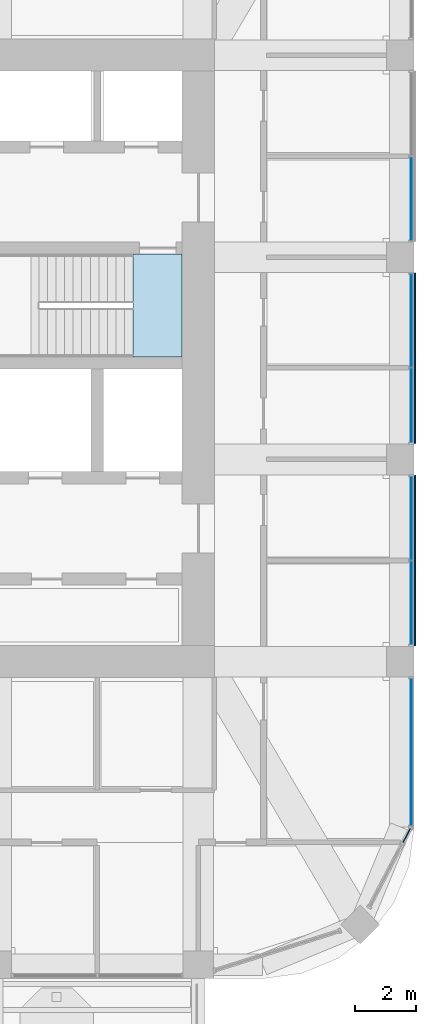
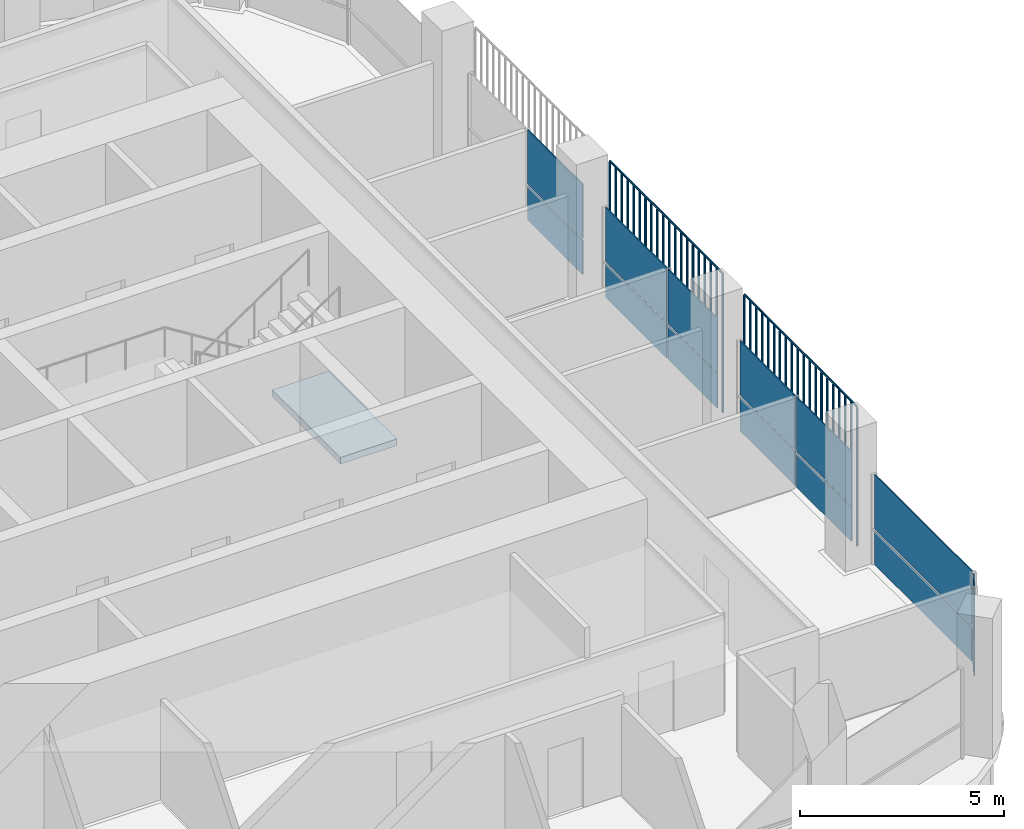
# One storey, part 11 of 21: 16 plates, 1 slab, 6 elements without a shape of their own.
"""IFC4 building model written with IfcOpenShell, lengths in metres."""

from ifc_helpers import new_model, si_unit, direction, frame, origin, origin_2d, place, context, subcontext, project, spatial, polyline, rectangle, outline, extrude, material, layer, layer_set, type_object, element, aggregate, save


model = new_model("IFC4")

# Units and contexts
model_context = context("Model", 3, precision=1e-05, world=origin(), true_north=direction((0.0, 1.0)))
body_context = subcontext(model_context, "Body", "Model", "MODEL_VIEW")
ifc_project = project(units=[si_unit("LENGTHUNIT", "METRE"), si_unit("AREAUNIT", "SQUARE_METRE"), si_unit("VOLUMEUNIT", "CUBIC_METRE"), si_unit("PLANEANGLEUNIT", "RADIAN"), si_unit("MASSUNIT", "GRAM", prefix="KILO")], contexts=[model_context])

# Site, building, storey
site_placement = place(None, origin())
site = spatial("IfcSite", under=ifc_project, at=site_placement, CompositionType="ELEMENT")
building_placement = place(site_placement, origin())
building = spatial("IfcBuilding", under=site, at=building_placement, Name="Cobogo Forest Laboratory Tower", CompositionType="ELEMENT")
storey_placement = place(building_placement, frame((0.0, 0.0, 275.39990234375)))
storey = spatial("IfcBuildingStorey", under=building, at=storey_placement, Name="L63", CompositionType="ELEMENT", Elevation=275.39990234375)

# Curtain wall, plates
ifc_material_1 = material(Name="Aluminium curtain wall", Category="aluminium")
curtain_wall_type = type_object("IfcCurtainWallType", Name="CW-2 unitised curtain wall, solar control glazing, laboratory floors zones C and D", PredefinedType="USERDEFINED", material=ifc_material_1)
curtain_wall_1_placement = place(storey_placement, origin())
curtain_wall_1 = element("IfcCurtainWall", 1, at=curtain_wall_1_placement, inside=storey, type_object=curtain_wall_type, Name="Curtain wall 06 L63", ObjectType="UNITISED CURTAIN WALL", PredefinedType="USERDEFINED")
ifc_material_2 = material(Name="Solar control insulated glass", Category="glass")
ifc_layer_1 = layer(ifc_material_2, 0.031982421875)
ifc_layer_set_1 = layer_set([ifc_layer_1], Name="GP-2 solar control glass unit 32")
plate_type_1 = type_object("IfcPlateType", Name="GP-2 solar control glass unit 32", PredefinedType="CURTAIN_PANEL", material=ifc_layer_set_1)
plate_1_placement = place(storey_placement, frame((46.40234375, 7.51806640625, 0.0), z_axis=(0.0, 0.0, 1.0), x_axis=(0.464283778337, 0.885686498245, 0.0)))
plate_1 = element("IfcPlate", 2, at=plate_1_placement, type_object=plate_type_1, Name="CW-2 panel 2.1", PredefinedType="CURTAIN_PANEL", context=body_context, shape_type="SweptSolid", body=[
    extrude(rectangle(XDim=0.516357421875, YDim=0.031982421875, at=origin_2d()), origin(), (0.0, 0.0, 1.0), 1.02001953125),
])
plate_2_placement = place(storey_placement, frame((46.40234375, 7.51806640625, 1.080078125), z_axis=(0.0, 0.0, 1.0), x_axis=(0.464283778337, 0.885686498245, 0.0)))
plate_2 = element("IfcPlate", 3, at=plate_2_placement, type_object=plate_type_1, Name="CW-2 panel 2.2", PredefinedType="CURTAIN_PANEL", context=body_context, shape_type="SweptSolid", body=[
    extrude(rectangle(XDim=0.516357421875, YDim=0.031982421875, at=origin_2d()), origin(), (0.0, 0.0, 1.0), 1.6201171875),
])
aggregate(curtain_wall_1, [plate_1, plate_2])

curtain_wall_2_placement = place(storey_placement, origin())
curtain_wall_2 = element("IfcCurtainWall", 4, at=curtain_wall_2_placement, inside=storey, type_object=curtain_wall_type, Name="Curtain wall 07 L63", ObjectType="UNITISED CURTAIN WALL", PredefinedType="USERDEFINED")
plate_3_placement = place(storey_placement, frame((46.550048828125, 10.25, 0.0), z_axis=(0.0, 0.0, 1.0), x_axis=(0.0, 1.0, 0.0)))
plate_3 = element("IfcPlate", 5, at=plate_3_placement, type_object=plate_type_1, Name="CW-2 panel 1.1", PredefinedType="CURTAIN_PANEL", context=body_context, shape_type="SweptSolid", body=[
    extrude(rectangle(XDim=4.780029296875, YDim=0.031982421875, at=origin_2d()), origin(), (0.0, 0.0, 1.0), 1.02001953125),
])
plate_4_placement = place(storey_placement, frame((46.550048828125, 10.25, 1.080078125), z_axis=(0.0, 0.0, 1.0), x_axis=(0.0, 1.0, 0.0)))
plate_4 = element("IfcPlate", 6, at=plate_4_placement, type_object=plate_type_1, Name="CW-2 panel 1.2", PredefinedType="CURTAIN_PANEL", context=body_context, shape_type="SweptSolid", body=[
    extrude(rectangle(XDim=4.780029296875, YDim=0.031982421875, at=origin_2d()), origin(), (0.0, 0.0, 1.0), 1.6201171875),
])
aggregate(curtain_wall_2, [plate_3, plate_4])

curtain_wall_3_placement = place(storey_placement, origin())
curtain_wall_3 = element("IfcCurtainWall", 7, at=curtain_wall_3_placement, inside=storey, type_object=curtain_wall_type, Name="Curtain wall 08 L63", ObjectType="UNITISED CURTAIN WALL", PredefinedType="USERDEFINED")
plate_5_placement = place(storey_placement, frame((46.550048828125, 15.114990234375, 0.0), z_axis=(0.0, 0.0, 1.0), x_axis=(0.0, 1.0, 0.0)))
plate_5 = element("IfcPlate", 8, at=plate_5_placement, type_object=plate_type_1, Name="CW-2 panel 1.1", PredefinedType="CURTAIN_PANEL", context=body_context, shape_type="SweptSolid", body=[
    extrude(rectangle(XDim=2.7099609375, YDim=0.031982421875, at=origin_2d()), origin(), (0.0, 0.0, 1.0), 1.02001953125),
])
plate_6_placement = place(storey_placement, frame((46.550048828125, 15.114990234375, 1.080078125), z_axis=(0.0, 0.0, 1.0), x_axis=(0.0, 1.0, 0.0)))
plate_6 = element("IfcPlate", 9, at=plate_6_placement, type_object=plate_type_1, Name="CW-2 panel 1.2", PredefinedType="CURTAIN_PANEL", context=body_context, shape_type="SweptSolid", body=[
    extrude(rectangle(XDim=2.7099609375, YDim=0.031982421875, at=origin_2d()), origin(), (0.0, 0.0, 1.0), 1.6201171875),
])
plate_7_placement = place(storey_placement, frame((46.550048828125, 17.885009765625, 0.0), z_axis=(0.0, 0.0, 1.0), x_axis=(0.0, 1.0, 0.0)))
plate_7 = element("IfcPlate", 10, at=plate_7_placement, type_object=plate_type_1, Name="CW-2 panel 2.1", PredefinedType="CURTAIN_PANEL", context=body_context, shape_type="SweptSolid", body=[
    extrude(rectangle(XDim=2.7099609375, YDim=0.031982421875, at=origin_2d()), origin(), (0.0, 0.0, 1.0), 1.02001953125),
])
plate_8_placement = place(storey_placement, frame((46.550048828125, 17.885009765625, 1.080078125), z_axis=(0.0, 0.0, 1.0), x_axis=(0.0, 1.0, 0.0)))
plate_8 = element("IfcPlate", 11, at=plate_8_placement, type_object=plate_type_1, Name="CW-2 panel 2.2", PredefinedType="CURTAIN_PANEL", context=body_context, shape_type="SweptSolid", body=[
    extrude(rectangle(XDim=2.7099609375, YDim=0.031982421875, at=origin_2d()), origin(), (0.0, 0.0, 1.0), 1.6201171875),
])
aggregate(curtain_wall_3, [plate_5, plate_6, plate_7, plate_8])

curtain_wall_4_placement = place(storey_placement, origin())
curtain_wall_4 = element("IfcCurtainWall", 12, at=curtain_wall_4_placement, inside=storey, type_object=curtain_wall_type, Name="Curtain wall 09 L63", ObjectType="UNITISED CURTAIN WALL", PredefinedType="USERDEFINED")
plate_9_placement = place(storey_placement, frame((46.550048828125, 21.56494140625, 0.0), z_axis=(0.0, 0.0, 1.0), x_axis=(0.0, 1.0, 0.0)))
plate_9 = element("IfcPlate", 13, at=plate_9_placement, type_object=plate_type_1, Name="CW-2 panel 1.1", PredefinedType="CURTAIN_PANEL", context=body_context, shape_type="SweptSolid", body=[
    extrude(rectangle(XDim=2.409912109375, YDim=0.031982421875, at=origin_2d()), origin(), (0.0, 0.0, 1.0), 1.02001953125),
])
plate_10_placement = place(storey_placement, frame((46.550048828125, 21.56494140625, 1.080078125), z_axis=(0.0, 0.0, 1.0), x_axis=(0.0, 1.0, 0.0)))
plate_10 = element("IfcPlate", 14, at=plate_10_placement, type_object=plate_type_1, Name="CW-2 panel 1.2", PredefinedType="CURTAIN_PANEL", context=body_context, shape_type="SweptSolid", body=[
    extrude(rectangle(XDim=2.409912109375, YDim=0.031982421875, at=origin_2d()), origin(), (0.0, 0.0, 1.0), 1.6201171875),
])
plate_11_placement = place(storey_placement, frame((46.550048828125, 24.3349609375, 0.0), z_axis=(0.0, 0.0, 1.0), x_axis=(0.0, 1.0, 0.0)))
plate_11 = element("IfcPlate", 15, at=plate_11_placement, type_object=plate_type_1, Name="CW-2 panel 2.1", PredefinedType="CURTAIN_PANEL", context=body_context, shape_type="SweptSolid", body=[
    extrude(rectangle(XDim=3.010009765625, YDim=0.031982421875, at=origin_2d()), origin(), (0.0, 0.0, 1.0), 1.02001953125),
])
plate_12_placement = place(storey_placement, frame((46.550048828125, 24.3349609375, 1.080078125), z_axis=(0.0, 0.0, 1.0), x_axis=(0.0, 1.0, 0.0)))
plate_12 = element("IfcPlate", 16, at=plate_12_placement, type_object=plate_type_1, Name="CW-2 panel 2.2", PredefinedType="CURTAIN_PANEL", context=body_context, shape_type="SweptSolid", body=[
    extrude(rectangle(XDim=3.010009765625, YDim=0.031982421875, at=origin_2d()), origin(), (0.0, 0.0, 1.0), 1.6201171875),
])
aggregate(curtain_wall_4, [plate_9, plate_10, plate_11, plate_12])

curtain_wall_5_placement = place(storey_placement, origin())
curtain_wall_5 = element("IfcCurtainWall", 17, at=curtain_wall_5_placement, inside=storey, type_object=curtain_wall_type, Name="Curtain wall 10 L63", ObjectType="UNITISED CURTAIN WALL", PredefinedType="USERDEFINED")
plate_13_placement = place(storey_placement, frame((46.550048828125, 28.31494140625, 0.0), z_axis=(0.0, 0.0, 1.0), x_axis=(0.0, 1.0, 0.0)))
plate_13 = element("IfcPlate", 18, at=plate_13_placement, type_object=plate_type_1, Name="CW-2 panel 1.1", PredefinedType="CURTAIN_PANEL", context=body_context, shape_type="SweptSolid", body=[
    extrude(rectangle(XDim=2.7099609375, YDim=0.031982421875, at=origin_2d()), origin(), (0.0, 0.0, 1.0), 1.02001953125),
])
plate_14_placement = place(storey_placement, frame((46.550048828125, 28.31494140625, 1.080078125), z_axis=(0.0, 0.0, 1.0), x_axis=(0.0, 1.0, 0.0)))
plate_14 = element("IfcPlate", 19, at=plate_14_placement, type_object=plate_type_1, Name="CW-2 panel 1.2", PredefinedType="CURTAIN_PANEL", context=body_context, shape_type="SweptSolid", body=[
    extrude(rectangle(XDim=2.7099609375, YDim=0.031982421875, at=origin_2d()), origin(), (0.0, 0.0, 1.0), 1.6201171875),
])
aggregate(curtain_wall_5, [plate_13, plate_14])

# Stair, slab
ifc_material_3 = material(Name="Precast concrete HA-40 (C40/50)", Category="concrete")
stair_type = type_object("IfcStairType", Name="ST24 exit stair 24 risers", PredefinedType="HALF_TURN_STAIR", material=ifc_material_3)
stair_placement = place(storey_placement, origin())
stair = element("IfcStair", 20, at=stair_placement, inside=storey, type_object=stair_type, Name="Stair 2 L63 to L64", PredefinedType="HALF_TURN_STAIR")
ifc_material_4 = material(Name="Concrete HA-40 (C40/50)", Category="concrete")
ifc_layer_2 = layer(ifc_material_4, 0.199951171875)
ifc_layer_set_2 = layer_set([ifc_layer_2], Name="SL stair landing 200")
slab_type = type_object("IfcSlabType", Name="SL stair landing 200", PredefinedType="LANDING", material=ifc_layer_set_2)
slab_placement = place(storey_placement, frame((0.0, 0.0, -0.199951171875)))
slab = element("IfcSlab", 21, at=slab_placement, type_object=slab_type, Name="ST2 landing 1", PredefinedType="LANDING", context=body_context, shape_type="SweptSolid", body=[
    extrude(outline(polyline([(37.472900390625, 23.14990234375), (39.074951171875, 23.14990234375), (39.074951171875, 26.5), (37.472900390625, 26.5), (37.472900390625, 23.14990234375)])), origin(), (0.0, 0.0, 1.0), 0.199951171875),
])
aggregate(stair, [slab])

# Plates
ifc_material_5 = material(Name="Terracotta", Category="masonry")
plate_type_2 = type_object("IfcPlateType", Name="TB1 terracotta baguette screen", PredefinedType="USERDEFINED", material=ifc_material_5)
plate_15_placement = place(storey_placement, frame((46.677978515625, 13.731201171875, -0.14990234375)))
element("IfcPlate", 22, at=plate_15_placement, inside=storey, type_object=plate_type_2, Name="Baguette screen E1 L63", ObjectType="BAGUETTE SCREEN", PredefinedType="USERDEFINED", context=body_context, shape_type="SweptSolid", body=[
    extrude(outline(polyline([(0.02880859375, 0.011962890625), (0.011962890625, 0.02880859375), (-0.011962890625, 0.02880859375), (-0.02880859375, 0.011962890625), (-0.02880859375, -0.011962890625), (-0.011962890625, -0.02880859375), (0.011962890625, -0.02880859375), (0.02880859375, -0.011962890625), (0.02880859375, 0.011962890625)])), frame((0.0, 0.0, 4.168701171875), z_axis=(0.0, 1.0, 0.0), x_axis=(-1.0, 0.0, 0.0)), (0.0, 0.0, 1.0), 5.53759765625),
    extrude(outline(polyline([(0.02880859375, 0.011962890625), (0.011962890625, 0.02880859375), (-0.011962890625, 0.02880859375), (-0.02880859375, 0.011962890625), (-0.02880859375, -0.011962890625), (-0.011962890625, -0.02880859375), (0.011962890625, -0.02880859375), (0.02880859375, -0.011962890625), (0.02880859375, 0.011962890625)])), origin(), (0.0, 0.0, 1.0), 4.137451171875),
    extrude(outline(polyline([(0.02880859375, 0.011962890625), (0.011962890625, 0.02880859375), (-0.011962890625, 0.02880859375), (-0.02880859375, 0.011962890625), (-0.02880859375, -0.011962890625), (-0.011962890625, -0.02880859375), (0.011962890625, -0.02880859375), (0.02880859375, -0.011962890625), (0.02880859375, 0.011962890625)])), frame((0.0, 0.29150390625, 0.0)), (0.0, 0.0, 1.0), 4.137451171875),
    extrude(outline(polyline([(0.02880859375, 0.011962890625), (0.011962890625, 0.02880859375), (-0.011962890625, 0.02880859375), (-0.02880859375, 0.011962890625), (-0.02880859375, -0.011962890625), (-0.011962890625, -0.02880859375), (0.011962890625, -0.02880859375), (0.02880859375, -0.011962890625), (0.02880859375, 0.011962890625)])), frame((0.0, 0.5830078125, 0.0)), (0.0, 0.0, 1.0), 4.137451171875),
    extrude(outline(polyline([(0.02880859375, 0.011962890625), (0.011962890625, 0.02880859375), (-0.011962890625, 0.02880859375), (-0.02880859375, 0.011962890625), (-0.02880859375, -0.011962890625), (-0.011962890625, -0.02880859375), (0.011962890625, -0.02880859375), (0.02880859375, -0.011962890625), (0.02880859375, 0.011962890625)])), frame((0.0, 0.874267578125, 0.0)), (0.0, 0.0, 1.0), 4.137451171875),
    extrude(outline(polyline([(0.02880859375, 0.011962890625), (0.011962890625, 0.02880859375), (-0.011962890625, 0.02880859375), (-0.02880859375, 0.011962890625), (-0.02880859375, -0.011962890625), (-0.011962890625, -0.02880859375), (0.011962890625, -0.02880859375), (0.02880859375, -0.011962890625), (0.02880859375, 0.011962890625)])), frame((0.0, 1.165771484375, 0.0)), (0.0, 0.0, 1.0), 4.137451171875),
    extrude(outline(polyline([(0.02880859375, 0.011962890625), (0.011962890625, 0.02880859375), (-0.011962890625, 0.02880859375), (-0.02880859375, 0.011962890625), (-0.02880859375, -0.011962890625), (-0.011962890625, -0.02880859375), (0.011962890625, -0.02880859375), (0.02880859375, -0.011962890625), (0.02880859375, 0.011962890625)])), frame((0.0, 1.457275390625, 0.0)), (0.0, 0.0, 1.0), 4.137451171875),
    extrude(outline(polyline([(0.02880859375, 0.011962890625), (0.011962890625, 0.02880859375), (-0.011962890625, 0.02880859375), (-0.02880859375, 0.011962890625), (-0.02880859375, -0.011962890625), (-0.011962890625, -0.02880859375), (0.011962890625, -0.02880859375), (0.02880859375, -0.011962890625), (0.02880859375, 0.011962890625)])), frame((0.0, 1.748779296875, 0.0)), (0.0, 0.0, 1.0), 4.137451171875),
    extrude(outline(polyline([(0.02880859375, 0.011962890625), (0.011962890625, 0.02880859375), (-0.011962890625, 0.02880859375), (-0.02880859375, 0.011962890625), (-0.02880859375, -0.011962890625), (-0.011962890625, -0.02880859375), (0.011962890625, -0.02880859375), (0.02880859375, -0.011962890625), (0.02880859375, 0.011962890625)])), frame((0.0, 2.040283203125, 0.0)), (0.0, 0.0, 1.0), 4.137451171875),
    extrude(outline(polyline([(0.02880859375, 0.011962890625), (0.011962890625, 0.02880859375), (-0.011962890625, 0.02880859375), (-0.02880859375, 0.011962890625), (-0.02880859375, -0.011962890625), (-0.011962890625, -0.02880859375), (0.011962890625, -0.02880859375), (0.02880859375, -0.011962890625), (0.02880859375, 0.011962890625)])), frame((0.0, 2.33154296875, 0.0)), (0.0, 0.0, 1.0), 4.137451171875),
    extrude(outline(polyline([(0.02880859375, 0.011962890625), (0.011962890625, 0.02880859375), (-0.011962890625, 0.02880859375), (-0.02880859375, 0.011962890625), (-0.02880859375, -0.011962890625), (-0.011962890625, -0.02880859375), (0.011962890625, -0.02880859375), (0.02880859375, -0.011962890625), (0.02880859375, 0.011962890625)])), frame((0.0, 2.623046875, 0.0)), (0.0, 0.0, 1.0), 4.137451171875),
    extrude(outline(polyline([(0.02880859375, 0.011962890625), (0.011962890625, 0.02880859375), (-0.011962890625, 0.02880859375), (-0.02880859375, 0.011962890625), (-0.02880859375, -0.011962890625), (-0.011962890625, -0.02880859375), (0.011962890625, -0.02880859375), (0.02880859375, -0.011962890625), (0.02880859375, 0.011962890625)])), frame((0.0, 2.91455078125, 0.0)), (0.0, 0.0, 1.0), 4.137451171875),
    extrude(outline(polyline([(0.02880859375, 0.011962890625), (0.011962890625, 0.02880859375), (-0.011962890625, 0.02880859375), (-0.02880859375, 0.011962890625), (-0.02880859375, -0.011962890625), (-0.011962890625, -0.02880859375), (0.011962890625, -0.02880859375), (0.02880859375, -0.011962890625), (0.02880859375, 0.011962890625)])), frame((0.0, 3.2060546875, 0.0)), (0.0, 0.0, 1.0), 4.137451171875),
    extrude(outline(polyline([(0.02880859375, 0.011962890625), (0.011962890625, 0.02880859375), (-0.011962890625, 0.02880859375), (-0.02880859375, 0.011962890625), (-0.02880859375, -0.011962890625), (-0.011962890625, -0.02880859375), (0.011962890625, -0.02880859375), (0.02880859375, -0.011962890625), (0.02880859375, 0.011962890625)])), frame((0.0, 3.497314453125, 0.0)), (0.0, 0.0, 1.0), 4.137451171875),
    extrude(outline(polyline([(0.02880859375, 0.011962890625), (0.011962890625, 0.02880859375), (-0.011962890625, 0.02880859375), (-0.02880859375, 0.011962890625), (-0.02880859375, -0.011962890625), (-0.011962890625, -0.02880859375), (0.011962890625, -0.02880859375), (0.02880859375, -0.011962890625), (0.02880859375, 0.011962890625)])), frame((0.0, 3.788818359375, 0.0)), (0.0, 0.0, 1.0), 4.137451171875),
    extrude(outline(polyline([(0.02880859375, 0.011962890625), (0.011962890625, 0.02880859375), (-0.011962890625, 0.02880859375), (-0.02880859375, 0.011962890625), (-0.02880859375, -0.011962890625), (-0.011962890625, -0.02880859375), (0.011962890625, -0.02880859375), (0.02880859375, -0.011962890625), (0.02880859375, 0.011962890625)])), frame((0.0, 4.080322265625, 0.0)), (0.0, 0.0, 1.0), 4.137451171875),
    extrude(outline(polyline([(0.02880859375, 0.011962890625), (0.011962890625, 0.02880859375), (-0.011962890625, 0.02880859375), (-0.02880859375, 0.011962890625), (-0.02880859375, -0.011962890625), (-0.011962890625, -0.02880859375), (0.011962890625, -0.02880859375), (0.02880859375, -0.011962890625), (0.02880859375, 0.011962890625)])), frame((0.0, 4.371826171875, 0.0)), (0.0, 0.0, 1.0), 4.137451171875),
    extrude(outline(polyline([(0.02880859375, 0.011962890625), (0.011962890625, 0.02880859375), (-0.011962890625, 0.02880859375), (-0.02880859375, 0.011962890625), (-0.02880859375, -0.011962890625), (-0.011962890625, -0.02880859375), (0.011962890625, -0.02880859375), (0.02880859375, -0.011962890625), (0.02880859375, 0.011962890625)])), frame((0.0, 4.663330078125, 0.0)), (0.0, 0.0, 1.0), 4.137451171875),
    extrude(outline(polyline([(0.02880859375, 0.011962890625), (0.011962890625, 0.02880859375), (-0.011962890625, 0.02880859375), (-0.02880859375, 0.011962890625), (-0.02880859375, -0.011962890625), (-0.011962890625, -0.02880859375), (0.011962890625, -0.02880859375), (0.02880859375, -0.011962890625), (0.02880859375, 0.011962890625)])), frame((0.0, 4.95458984375, 0.0)), (0.0, 0.0, 1.0), 4.137451171875),
    extrude(outline(polyline([(0.02880859375, 0.011962890625), (0.011962890625, 0.02880859375), (-0.011962890625, 0.02880859375), (-0.02880859375, 0.011962890625), (-0.02880859375, -0.011962890625), (-0.011962890625, -0.02880859375), (0.011962890625, -0.02880859375), (0.02880859375, -0.011962890625), (0.02880859375, 0.011962890625)])), frame((0.0, 5.24609375, 0.0)), (0.0, 0.0, 1.0), 4.137451171875),
    extrude(outline(polyline([(0.02880859375, 0.011962890625), (0.011962890625, 0.02880859375), (-0.011962890625, 0.02880859375), (-0.02880859375, 0.011962890625), (-0.02880859375, -0.011962890625), (-0.011962890625, -0.02880859375), (0.011962890625, -0.02880859375), (0.02880859375, -0.011962890625), (0.02880859375, 0.011962890625)])), frame((0.0, 5.53759765625, 0.0)), (0.0, 0.0, 1.0), 4.137451171875),
])
plate_16_placement = place(storey_placement, frame((46.677978515625, 20.331298828125, -0.14990234375)))
element("IfcPlate", 23, at=plate_16_placement, inside=storey, type_object=plate_type_2, Name="Baguette screen E2 L63", ObjectType="BAGUETTE SCREEN", PredefinedType="USERDEFINED", context=body_context, shape_type="SweptSolid", body=[
    extrude(outline(polyline([(0.02880859375, 0.011962890625), (0.011962890625, 0.02880859375), (-0.011962890625, 0.02880859375), (-0.02880859375, 0.011962890625), (-0.02880859375, -0.011962890625), (-0.011962890625, -0.02880859375), (0.011962890625, -0.02880859375), (0.02880859375, -0.011962890625), (0.02880859375, 0.011962890625)])), frame((0.0, 0.0, 4.168701171875), z_axis=(0.0, 1.0, 0.0), x_axis=(-1.0, 0.0, 0.0)), (0.0, 0.0, 1.0), 5.537353515625),
    extrude(outline(polyline([(0.02880859375, 0.011962890625), (0.011962890625, 0.02880859375), (-0.011962890625, 0.02880859375), (-0.02880859375, 0.011962890625), (-0.02880859375, -0.011962890625), (-0.011962890625, -0.02880859375), (0.011962890625, -0.02880859375), (0.02880859375, -0.011962890625), (0.02880859375, 0.011962890625)])), origin(), (0.0, 0.0, 1.0), 4.137451171875),
    extrude(outline(polyline([(0.02880859375, 0.011962890625), (0.011962890625, 0.02880859375), (-0.011962890625, 0.02880859375), (-0.02880859375, 0.011962890625), (-0.02880859375, -0.011962890625), (-0.011962890625, -0.02880859375), (0.011962890625, -0.02880859375), (0.02880859375, -0.011962890625), (0.02880859375, 0.011962890625)])), frame((0.0, 0.29150390625, 0.0)), (0.0, 0.0, 1.0), 4.137451171875),
    extrude(outline(polyline([(0.02880859375, 0.011962890625), (0.011962890625, 0.02880859375), (-0.011962890625, 0.02880859375), (-0.02880859375, 0.011962890625), (-0.02880859375, -0.011962890625), (-0.011962890625, -0.02880859375), (0.011962890625, -0.02880859375), (0.02880859375, -0.011962890625), (0.02880859375, 0.011962890625)])), frame((0.0, 0.582763671875, 0.0)), (0.0, 0.0, 1.0), 4.137451171875),
    extrude(outline(polyline([(0.02880859375, 0.011962890625), (0.011962890625, 0.02880859375), (-0.011962890625, 0.02880859375), (-0.02880859375, 0.011962890625), (-0.02880859375, -0.011962890625), (-0.011962890625, -0.02880859375), (0.011962890625, -0.02880859375), (0.02880859375, -0.011962890625), (0.02880859375, 0.011962890625)])), frame((0.0, 0.874267578125, 0.0)), (0.0, 0.0, 1.0), 4.137451171875),
    extrude(outline(polyline([(0.02880859375, 0.011962890625), (0.011962890625, 0.02880859375), (-0.011962890625, 0.02880859375), (-0.02880859375, 0.011962890625), (-0.02880859375, -0.011962890625), (-0.011962890625, -0.02880859375), (0.011962890625, -0.02880859375), (0.02880859375, -0.011962890625), (0.02880859375, 0.011962890625)])), frame((0.0, 1.165771484375, 0.0)), (0.0, 0.0, 1.0), 4.137451171875),
    extrude(outline(polyline([(0.02880859375, 0.011962890625), (0.011962890625, 0.02880859375), (-0.011962890625, 0.02880859375), (-0.02880859375, 0.011962890625), (-0.02880859375, -0.011962890625), (-0.011962890625, -0.02880859375), (0.011962890625, -0.02880859375), (0.02880859375, -0.011962890625), (0.02880859375, 0.011962890625)])), frame((0.0, 1.457275390625, 0.0)), (0.0, 0.0, 1.0), 4.137451171875),
    extrude(outline(polyline([(0.02880859375, 0.011962890625), (0.011962890625, 0.02880859375), (-0.011962890625, 0.02880859375), (-0.02880859375, 0.011962890625), (-0.02880859375, -0.011962890625), (-0.011962890625, -0.02880859375), (0.011962890625, -0.02880859375), (0.02880859375, -0.011962890625), (0.02880859375, 0.011962890625)])), frame((0.0, 1.74853515625, 0.0)), (0.0, 0.0, 1.0), 4.137451171875),
    extrude(outline(polyline([(0.02880859375, 0.011962890625), (0.011962890625, 0.02880859375), (-0.011962890625, 0.02880859375), (-0.02880859375, 0.011962890625), (-0.02880859375, -0.011962890625), (-0.011962890625, -0.02880859375), (0.011962890625, -0.02880859375), (0.02880859375, -0.011962890625), (0.02880859375, 0.011962890625)])), frame((0.0, 2.0400390625, 0.0)), (0.0, 0.0, 1.0), 4.137451171875),
    extrude(outline(polyline([(0.02880859375, 0.011962890625), (0.011962890625, 0.02880859375), (-0.011962890625, 0.02880859375), (-0.02880859375, 0.011962890625), (-0.02880859375, -0.011962890625), (-0.011962890625, -0.02880859375), (0.011962890625, -0.02880859375), (0.02880859375, -0.011962890625), (0.02880859375, 0.011962890625)])), frame((0.0, 2.33154296875, 0.0)), (0.0, 0.0, 1.0), 4.137451171875),
    extrude(outline(polyline([(0.02880859375, 0.011962890625), (0.011962890625, 0.02880859375), (-0.011962890625, 0.02880859375), (-0.02880859375, 0.011962890625), (-0.02880859375, -0.011962890625), (-0.011962890625, -0.02880859375), (0.011962890625, -0.02880859375), (0.02880859375, -0.011962890625), (0.02880859375, 0.011962890625)])), frame((0.0, 2.623046875, 0.0)), (0.0, 0.0, 1.0), 4.137451171875),
    extrude(outline(polyline([(0.02880859375, 0.011962890625), (0.011962890625, 0.02880859375), (-0.011962890625, 0.02880859375), (-0.02880859375, 0.011962890625), (-0.02880859375, -0.011962890625), (-0.011962890625, -0.02880859375), (0.011962890625, -0.02880859375), (0.02880859375, -0.011962890625), (0.02880859375, 0.011962890625)])), frame((0.0, 2.914306640625, 0.0)), (0.0, 0.0, 1.0), 4.137451171875),
    extrude(outline(polyline([(0.02880859375, 0.011962890625), (0.011962890625, 0.02880859375), (-0.011962890625, 0.02880859375), (-0.02880859375, 0.011962890625), (-0.02880859375, -0.011962890625), (-0.011962890625, -0.02880859375), (0.011962890625, -0.02880859375), (0.02880859375, -0.011962890625), (0.02880859375, 0.011962890625)])), frame((0.0, 3.205810546875, 0.0)), (0.0, 0.0, 1.0), 4.137451171875),
    extrude(outline(polyline([(0.02880859375, 0.011962890625), (0.011962890625, 0.02880859375), (-0.011962890625, 0.02880859375), (-0.02880859375, 0.011962890625), (-0.02880859375, -0.011962890625), (-0.011962890625, -0.02880859375), (0.011962890625, -0.02880859375), (0.02880859375, -0.011962890625), (0.02880859375, 0.011962890625)])), frame((0.0, 3.497314453125, 0.0)), (0.0, 0.0, 1.0), 4.137451171875),
    extrude(outline(polyline([(0.02880859375, 0.011962890625), (0.011962890625, 0.02880859375), (-0.011962890625, 0.02880859375), (-0.02880859375, 0.011962890625), (-0.02880859375, -0.011962890625), (-0.011962890625, -0.02880859375), (0.011962890625, -0.02880859375), (0.02880859375, -0.011962890625), (0.02880859375, 0.011962890625)])), frame((0.0, 3.788818359375, 0.0)), (0.0, 0.0, 1.0), 4.137451171875),
    extrude(outline(polyline([(0.02880859375, 0.011962890625), (0.011962890625, 0.02880859375), (-0.011962890625, 0.02880859375), (-0.02880859375, 0.011962890625), (-0.02880859375, -0.011962890625), (-0.011962890625, -0.02880859375), (0.011962890625, -0.02880859375), (0.02880859375, -0.011962890625), (0.02880859375, 0.011962890625)])), frame((0.0, 4.080078125, 0.0)), (0.0, 0.0, 1.0), 4.137451171875),
    extrude(outline(polyline([(0.02880859375, 0.011962890625), (0.011962890625, 0.02880859375), (-0.011962890625, 0.02880859375), (-0.02880859375, 0.011962890625), (-0.02880859375, -0.011962890625), (-0.011962890625, -0.02880859375), (0.011962890625, -0.02880859375), (0.02880859375, -0.011962890625), (0.02880859375, 0.011962890625)])), frame((0.0, 4.37158203125, 0.0)), (0.0, 0.0, 1.0), 4.137451171875),
    extrude(outline(polyline([(0.02880859375, 0.011962890625), (0.011962890625, 0.02880859375), (-0.011962890625, 0.02880859375), (-0.02880859375, 0.011962890625), (-0.02880859375, -0.011962890625), (-0.011962890625, -0.02880859375), (0.011962890625, -0.02880859375), (0.02880859375, -0.011962890625), (0.02880859375, 0.011962890625)])), frame((0.0, 4.6630859375, 0.0)), (0.0, 0.0, 1.0), 4.137451171875),
    extrude(outline(polyline([(0.02880859375, 0.011962890625), (0.011962890625, 0.02880859375), (-0.011962890625, 0.02880859375), (-0.02880859375, 0.011962890625), (-0.02880859375, -0.011962890625), (-0.011962890625, -0.02880859375), (0.011962890625, -0.02880859375), (0.02880859375, -0.011962890625), (0.02880859375, 0.011962890625)])), frame((0.0, 4.95458984375, 0.0)), (0.0, 0.0, 1.0), 4.137451171875),
    extrude(outline(polyline([(0.02880859375, 0.011962890625), (0.011962890625, 0.02880859375), (-0.011962890625, 0.02880859375), (-0.02880859375, 0.011962890625), (-0.02880859375, -0.011962890625), (-0.011962890625, -0.02880859375), (0.011962890625, -0.02880859375), (0.02880859375, -0.011962890625), (0.02880859375, 0.011962890625)])), frame((0.0, 5.245849609375, 0.0)), (0.0, 0.0, 1.0), 4.137451171875),
    extrude(outline(polyline([(0.02880859375, 0.011962890625), (0.011962890625, 0.02880859375), (-0.011962890625, 0.02880859375), (-0.02880859375, 0.011962890625), (-0.02880859375, -0.011962890625), (-0.011962890625, -0.02880859375), (0.011962890625, -0.02880859375), (0.02880859375, -0.011962890625), (0.02880859375, 0.011962890625)])), frame((0.0, 5.537353515625, 0.0)), (0.0, 0.0, 1.0), 4.137451171875),
])

save(model, "model.ifc")
